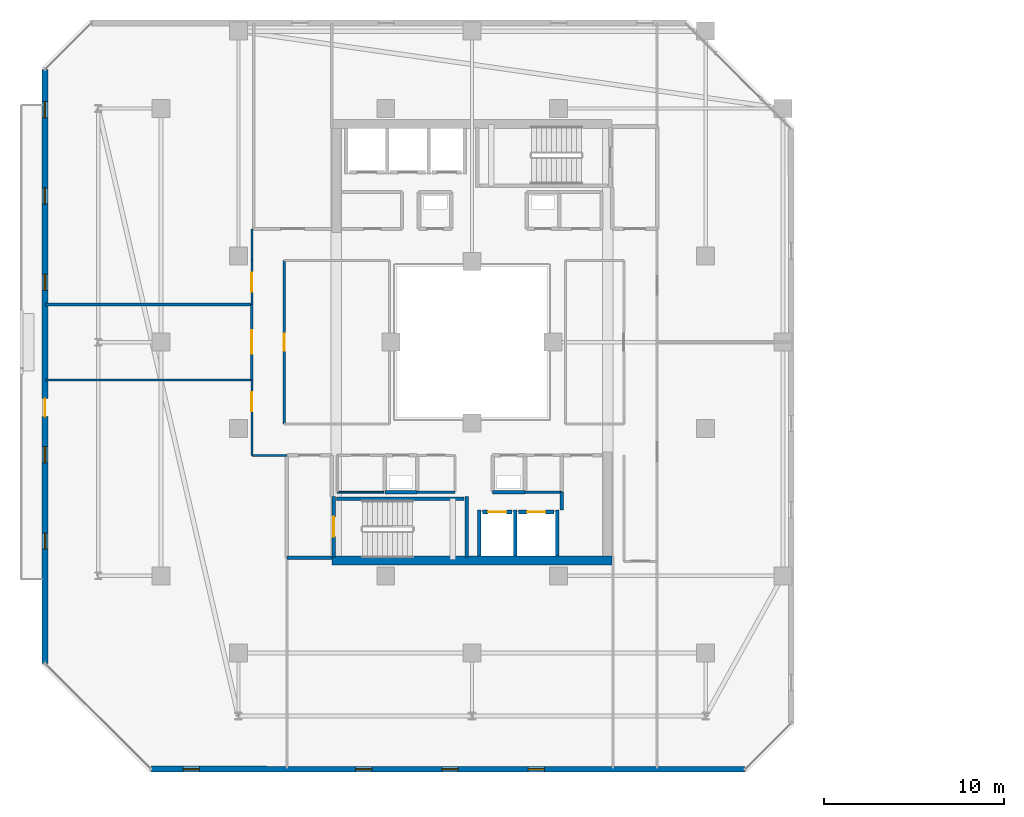
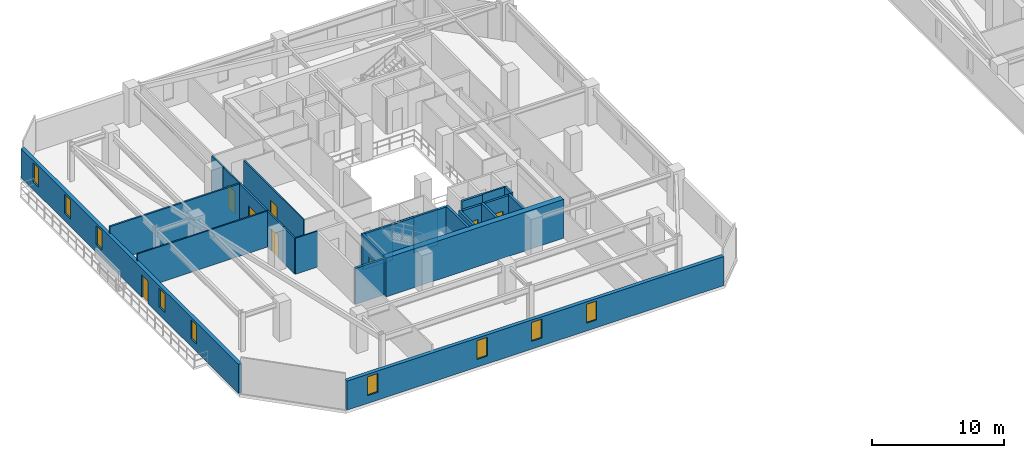
# One storey, part 18 of 31: 27 walls, 9 windows, 8 doors, 17 openings.
"""IFC4 building model written with IfcOpenShell, lengths in metres."""

from ifc_helpers import new_model, si_unit, direction, frame, frame_2d, origin, place, context, subcontext, project, spatial, rectangle, extrude, material, layer, layer_set, type_object, element, fill, save


model = new_model("IFC4")

# Units and contexts
model_context = context("Model", 3, precision=1e-05, world=origin(), true_north=direction((0.0, 1.0)))
body_context = subcontext(model_context, "Body", "Model", "MODEL_VIEW")
ifc_project = project(units=[si_unit("LENGTHUNIT", "METRE"), si_unit("AREAUNIT", "SQUARE_METRE"), si_unit("VOLUMEUNIT", "CUBIC_METRE"), si_unit("PLANEANGLEUNIT", "RADIAN"), si_unit("MASSUNIT", "GRAM", prefix="KILO")], contexts=[model_context])

# Site, building, storey
site_placement = place(None, origin())
site = spatial("IfcSite", under=ifc_project, at=site_placement, CompositionType="ELEMENT")
building_placement = place(site_placement, origin())
building = spatial("IfcBuilding", under=site, at=building_placement, Name="Thornwick Lancets Civic Towers", CompositionType="ELEMENT")
storey_placement = place(building_placement, frame((0.0, 0.0, 233.10009765625)))
storey = spatial("IfcBuildingStorey", under=building, at=storey_placement, Name="L62", CompositionType="ELEMENT", Elevation=233.10009765625)

# Wall, opening, door
ifc_material_1 = material(Name="Concrete blockwork C40/50", Category="masonry")
ifc_layer_1 = layer(ifc_material_1, 0.199951171875, Name="Concrete blockwork C40/50")
ifc_layer_set_1 = layer_set([ifc_layer_1], Name="Concrete blockwork C40/50")
wall_type_1 = type_object("IfcWallType", Name="WALL_COMP_200", PredefinedType="STANDARD", material=ifc_layer_set_1)
wall_1_placement = place(storey_placement, frame((26.080078125, 17.550048828125, 0.0), z_axis=(0.0, 0.0, 1.0), x_axis=(1.0, 0.0, 0.0)))
wall_1 = element("IfcWall", 1, at=wall_1_placement, inside=storey, type_object=wall_type_1, Name="L62 Hoistway Front Wall FL-A1", PredefinedType="STANDARD", context=body_context, shape_type="SweptSolid", body=[
    extrude(rectangle(XDim=1.639892578125, YDim=0.199951171875, at=frame_2d((0.81982421875, 0.0))), origin(), (0.0, 0.0, 1.0), 3.33984375),
])
opening_1_placement = place(wall_1_placement, frame((0.31005859375, 0.0, 0.0)))
opening_1 = element("IfcOpeningElement", 2, at=opening_1_placement, cuts=wall_1, Name="Opening LD-FL-A1", PredefinedType="OPENING", context=body_context, shape_type="SweptSolid", body=[
    extrude(rectangle(XDim=1.02001953125, YDim=2.06005859375, at=frame_2d((0.510009765625, 1.030029296875))), frame((0.0, 0.10986328125, 0.0), z_axis=(0.0, -1.0, 0.0), x_axis=(1.0, 0.0, 0.0)), (0.0, 0.0, 1.0), 0.219970703125),
])
ifc_material_2 = material(Name="Brushed bronze stainless steel", Category="steel")
door_type_1 = type_object("IfcDoorType", Name="DOOR_LIFT_SLIDE", OperationType="SLIDING_TO_LEFT", PredefinedType="DOOR", material=ifc_material_2)
door_1_placement = place(opening_1_placement, origin())
door_1 = element("IfcDoor", 3, at=door_1_placement, inside=storey, type_object=door_type_1, Name="L62 Sliding Lift Landing Door LD-FL-A1", OperationType="SLIDING_TO_LEFT", OverallHeight=2.06005859375, OverallWidth=1.02001953125, PredefinedType="DOOR", context=body_context, shape_type="SweptSolid", body=[
    extrude(rectangle(XDim=1.02001953125, YDim=2.06005859375, at=frame_2d((0.510009765625, 1.030029296875))), frame((0.0, 0.02490234375, 0.0), z_axis=(0.0, -1.0, 0.0), x_axis=(1.0, 0.0, 0.0)), (0.0, 0.0, 1.0), 0.050048828125),
])
fill(opening_1, door_1)

wall_2_placement = place(storey_placement, frame((28.080078125, 17.550048828125, 0.0), z_axis=(0.0, 0.0, 1.0), x_axis=(1.0, 0.0, 0.0)))
wall_2 = element("IfcWall", 4, at=wall_2_placement, inside=storey, type_object=wall_type_1, Name="L62 Hoistway Front Wall PL-AH1", PredefinedType="STANDARD", context=body_context, shape_type="SweptSolid", body=[
    extrude(rectangle(XDim=1.989990234375, YDim=0.199951171875, at=frame_2d((0.9951171875, 0.0))), origin(), (0.0, 0.0, 1.0), 3.33984375),
])
opening_2_placement = place(wall_2_placement, frame((0.485107421875, 0.0, 0.0)))
opening_2 = element("IfcOpeningElement", 5, at=opening_2_placement, cuts=wall_2, Name="Opening LD-PL-AH1", PredefinedType="OPENING", context=body_context, shape_type="SweptSolid", body=[
    extrude(rectangle(XDim=1.02001953125, YDim=2.06005859375, at=frame_2d((0.510009765625, 1.030029296875))), frame((0.0, 0.10986328125, 0.0), z_axis=(0.0, -1.0, 0.0), x_axis=(1.0, 0.0, 0.0)), (0.0, 0.0, 1.0), 0.219970703125),
])
door_2_placement = place(opening_2_placement, origin())
door_2 = element("IfcDoor", 6, at=door_2_placement, inside=storey, type_object=door_type_1, Name="L62 Sliding Lift Landing Door LD-PL-AH1", OperationType="SLIDING_TO_LEFT", OverallHeight=2.06005859375, OverallWidth=1.02001953125, PredefinedType="DOOR", context=body_context, shape_type="SweptSolid", body=[
    extrude(rectangle(XDim=1.02001953125, YDim=2.06005859375, at=frame_2d((0.510009765625, 1.030029296875))), frame((0.0, 0.02490234375, 0.0), z_axis=(0.0, -1.0, 0.0), x_axis=(1.0, 0.0, 0.0)), (0.0, 0.0, 1.0), 0.050048828125),
])
fill(opening_2, door_2)

# Walls
for number, where, z_axis, x_axis, name in (
    (7, (27.89990234375, 15.112060546875, 0.0), (0.0, 0.0, 1.0), (0.0, 1.0, 0.0), "L62 Hoistway Shaft Wall FL-A1 E"),
    (8, (25.89990234375, 15.112060546875, 0.0), (0.0, 0.0, 1.0), (0.0, 1.0, 0.0), "L62 Hoistway Shaft Wall FL-A1 W"),
    (9, (30.25, 15.112060546875, 0.0), (0.0, 0.0, 1.0), (0.0, 1.0, 0.0), "L62 Hoistway Shaft Wall PL-AH1 E"),
):
    element("IfcWall", number, at=place(storey_placement, frame(where, z_axis=z_axis, x_axis=x_axis)), inside=storey, type_object=wall_type_1, Name=name, PredefinedType="STANDARD", context=body_context, shape_type="SweptSolid", body=[
        extrude(rectangle(XDim=2.535888671875, YDim=0.199951171875, at=frame_2d((1.26806640625, 0.0))), origin(), (0.0, 0.0, 1.0), 3.33984375),
    ])
wall_3_placement = place(storey_placement, frame((15.199951171875, 15.0, 0.0), z_axis=(0.0, 0.0, 1.0), x_axis=(1.0, 0.0, 0.0)))
element("IfcWall", 10, at=wall_3_placement, inside=storey, type_object=wall_type_1, Name="L62 Partition L62-A-FFLOB1 E1", PredefinedType="STANDARD", context=body_context, shape_type="SweptSolid", body=[
    extrude(rectangle(XDim=2.5, YDim=0.199951171875, at=frame_2d((1.25, 0.0))), origin(), (0.0, 0.0, 1.0), 3.33984375),
])
for number, where, z_axis, x_axis, name in (
    (11, (26.64990234375, 18.64990234375, 0.0), (0.0, 0.0, 1.0), (1.0, 0.0, 0.0), "L62 Partition L62-A-DUCT1 E1"),
    (12, (20.64990234375, 18.64990234375, 0.0), (0.0, 0.0, 1.0), (1.0, 0.0, 0.0), "L62 Partition L62-A-RISER1 E1"),
):
    element("IfcWall", number, at=place(storey_placement, frame(where, z_axis=z_axis, x_axis=x_axis)), inside=storey, type_object=wall_type_1, Name=name, PredefinedType="STANDARD", context=body_context, shape_type="SweptSolid", body=[
        extrude(rectangle(XDim=1.800048828125, YDim=0.199951171875, at=frame_2d((0.89990234375, 0.0))), origin(), (0.0, 0.0, 1.0), 3.33984375),
    ])
wall_4_placement = place(storey_placement, frame((30.5, 17.64794921875, 0.0), z_axis=(0.0, 0.0, 1.0), x_axis=(0.0, 1.0, 0.0)))
element("IfcWall", 13, at=wall_4_placement, inside=storey, type_object=wall_type_1, Name="L62 Partition L62-A-STR2 E3", PredefinedType="STANDARD", context=body_context, shape_type="SweptSolid", body=[
    extrude(rectangle(XDim=1.001953125, YDim=0.199951171875, at=frame_2d((0.5009765625, 0.0))), origin(), (0.0, 0.0, 1.0), 3.33984375),
])
ifc_material_3 = material(Name="Concrete C50/60", Category="concrete")
ifc_layer_2 = layer(ifc_material_3, 0.5, Name="Concrete C50/60")
ifc_layer_set_2 = layer_set([ifc_layer_2], Name="Concrete C50/60")
wall_type_2 = type_object("IfcWallType", Name="WALL_CORE_500", PredefinedType="SHEAR", material=ifc_layer_set_2)
wall_5_placement = place(storey_placement, frame((17.699951171875, 14.85009765625, 0.0), z_axis=(0.0, 0.0, 1.0), x_axis=(1.0, 0.0, 0.0)))
element("IfcWall", 14, at=wall_5_placement, inside=storey, type_object=wall_type_2, Name="L62 Split Core A1 Shear Wall S", PredefinedType="SHEAR", context=body_context, shape_type="SweptSolid", body=[
    extrude(rectangle(XDim=15.60009765625, YDim=0.5, at=frame_2d((7.800048828125, 0.0))), origin(), (0.0, 0.0, 1.0), 3.599853515625),
])

# Wall, openings, windows
ifc_material_4 = material(Name="Insulated buff terracotta rainscreen on concrete C40/50", Category="masonry")
ifc_layer_3 = layer(ifc_material_4, 0.320068359375, Name="Insulated buff terracotta rainscreen on concrete C40/50")
ifc_layer_set_3 = layer_set([ifc_layer_3], Name="Insulated buff terracotta rainscreen on concrete C40/50")
wall_type_3 = type_object("IfcWallType", Name="WALL_EXT_TERRA_320", PredefinedType="STANDARD", material=ifc_layer_set_3)
wall_6_placement = place(storey_placement, frame((7.627685546875, 3.246337890625, 0.0), z_axis=(0.0, 0.0, 1.0), x_axis=(0.999999944762, -0.000332378036, 0.0)))
wall_6 = element("IfcWall", 15, at=wall_6_placement, inside=storey, type_object=wall_type_3, Name="L62 Tower A Terracotta Facade Wall E0", PredefinedType="STANDARD", context=body_context, shape_type="SweptSolid", body=[
    extrude(rectangle(XDim=33.0537109375, YDim=0.320068359375, at=frame_2d((16.52685546875, 0.0))), origin(), (0.0, 0.0, 1.0), 2.699951171875),
])
opening_3_placement = place(wall_6_placement, frame((1.800048828125, 0.0, 0.719970703125)))
opening_3 = element("IfcOpeningElement", 16, at=opening_3_placement, cuts=wall_6, Name="Opening WL-01", PredefinedType="OPENING", context=body_context, shape_type="SweptSolid", body=[
    extrude(rectangle(XDim=0.89990234375, YDim=1.75, at=frame_2d((0.449951171875, 0.875))), frame((0.0, 0.169921875, 0.0), z_axis=(0.0, -1.0, 0.0), x_axis=(1.0, 0.0, 0.0)), (0.0, 0.0, 1.0), 0.340087890625),
])
opening_4_placement = place(wall_6_placement, frame((11.39990234375, 0.0, 0.719970703125)))
opening_4 = element("IfcOpeningElement", 17, at=opening_4_placement, cuts=wall_6, Name="Opening WL-01", PredefinedType="OPENING", context=body_context, shape_type="SweptSolid", body=[
    extrude(rectangle(XDim=0.89990234375, YDim=1.75, at=frame_2d((0.449951171875, 0.875))), frame((0.0, 0.169921875, 0.0), z_axis=(0.0, -1.0, 0.0), x_axis=(1.0, 0.0, 0.0)), (0.0, 0.0, 1.0), 0.340087890625),
])
opening_5_placement = place(wall_6_placement, frame((16.199951171875, 0.0, 0.719970703125)))
opening_5 = element("IfcOpeningElement", 18, at=opening_5_placement, cuts=wall_6, Name="Opening WL-01", PredefinedType="OPENING", context=body_context, shape_type="SweptSolid", body=[
    extrude(rectangle(XDim=0.89990234375, YDim=1.75, at=frame_2d((0.449951171875, 0.875))), frame((0.0, 0.169921875, 0.0), z_axis=(0.0, -1.0, 0.0), x_axis=(1.0, 0.0, 0.0)), (0.0, 0.0, 1.0), 0.340087890625),
])
opening_6_placement = place(wall_6_placement, frame((21.0, 0.0, 0.719970703125)))
opening_6 = element("IfcOpeningElement", 19, at=opening_6_placement, cuts=wall_6, Name="Opening WL-01", PredefinedType="OPENING", context=body_context, shape_type="SweptSolid", body=[
    extrude(rectangle(XDim=0.89990234375, YDim=1.75, at=frame_2d((0.449951171875, 0.875))), frame((0.0, 0.169921875, 0.0), z_axis=(0.0, -1.0, 0.0), x_axis=(1.0, 0.0, 0.0)), (0.0, 0.0, 1.0), 0.340087890625),
])
ifc_material_5 = material(Name="Clear low-e double glazing in bronze frame", Category="glass")
window_type = type_object("IfcWindowType", Name="WIN_LANCET_900", PartitioningType="SINGLE_PANEL", PredefinedType="WINDOW", material=ifc_material_5)
window_1_placement = place(opening_3_placement, origin())
window_1 = element("IfcWindow", 20, at=window_1_placement, inside=storey, type_object=window_type, Name="L62 Tower A Staggered Lancet Window E0-1", OverallHeight=1.75, OverallWidth=0.89990234375, PartitioningType="SINGLE_PANEL", PredefinedType="WINDOW", context=body_context, shape_type="SweptSolid", body=[
    extrude(rectangle(XDim=0.89990234375, YDim=1.75, at=frame_2d((0.449951171875, 0.875))), frame((0.0, 0.030029296875, 0.0), z_axis=(0.0, -1.0, 0.0), x_axis=(1.0, 0.0, 0.0)), (0.0, 0.0, 1.0), 0.06005859375),
])
fill(opening_3, window_1)
window_2_placement = place(opening_4_placement, origin())
window_2 = element("IfcWindow", 21, at=window_2_placement, inside=storey, type_object=window_type, Name="L62 Tower A Staggered Lancet Window E0-2", OverallHeight=1.75, OverallWidth=0.89990234375, PartitioningType="SINGLE_PANEL", PredefinedType="WINDOW", context=body_context, shape_type="SweptSolid", body=[
    extrude(rectangle(XDim=0.89990234375, YDim=1.75, at=frame_2d((0.449951171875, 0.875))), frame((0.0, 0.030029296875, 0.0), z_axis=(0.0, -1.0, 0.0), x_axis=(1.0, 0.0, 0.0)), (0.0, 0.0, 1.0), 0.06005859375),
])
fill(opening_4, window_2)
window_3_placement = place(opening_5_placement, origin())
window_3 = element("IfcWindow", 22, at=window_3_placement, inside=storey, type_object=window_type, Name="L62 Tower A Staggered Lancet Window E0-3", OverallHeight=1.75, OverallWidth=0.89990234375, PartitioningType="SINGLE_PANEL", PredefinedType="WINDOW", context=body_context, shape_type="SweptSolid", body=[
    extrude(rectangle(XDim=0.89990234375, YDim=1.75, at=frame_2d((0.449951171875, 0.875))), frame((0.0, 0.030029296875, 0.0), z_axis=(0.0, -1.0, 0.0), x_axis=(1.0, 0.0, 0.0)), (0.0, 0.0, 1.0), 0.06005859375),
])
fill(opening_5, window_3)
window_4_placement = place(opening_6_placement, origin())
window_4 = element("IfcWindow", 23, at=window_4_placement, inside=storey, type_object=window_type, Name="L62 Tower A Staggered Lancet Window E0-4", OverallHeight=1.75, OverallWidth=0.89990234375, PartitioningType="SINGLE_PANEL", PredefinedType="WINDOW", context=body_context, shape_type="SweptSolid", body=[
    extrude(rectangle(XDim=0.89990234375, YDim=1.75, at=frame_2d((0.449951171875, 0.875))), frame((0.0, 0.030029296875, 0.0), z_axis=(0.0, -1.0, 0.0), x_axis=(1.0, 0.0, 0.0)), (0.0, 0.0, 1.0), 0.06005859375),
])
fill(opening_6, window_4)

# Wall, openings, door, windows
wall_7_placement = place(storey_placement, frame((1.7353515625, 42.181396484375, 0.0), z_axis=(0.0, 0.0, 1.0), x_axis=(0.000332378036, -0.999999944762, 0.0)))
wall_7 = element("IfcWall", 24, at=wall_7_placement, inside=storey, type_object=wall_type_3, Name="L62 Tower A Terracotta Facade Wall E6", PredefinedType="STANDARD", context=body_context, shape_type="SweptSolid", body=[
    extrude(rectangle(XDim=33.0537109375, YDim=0.320068359375, at=frame_2d((16.52685546875, 0.0))), origin(), (0.0, 0.0, 1.0), 2.699951171875),
])
opening_7_placement = place(wall_7_placement, frame((18.326904296875, 0.0, 0.0)))
opening_7 = element("IfcOpeningElement", 25, at=opening_7_placement, cuts=wall_7, Name="Opening D-BL-L62-AW", PredefinedType="OPENING", context=body_context, shape_type="SweptSolid", body=[
    extrude(rectangle(XDim=1.0, YDim=2.080078125, at=frame_2d((0.5, 1.0400390625))), frame((0.0, 0.169921875, 0.0), z_axis=(0.0, -1.0, 0.0), x_axis=(1.0, 0.0, 0.0)), (0.0, 0.0, 1.0), 0.340087890625),
])
opening_8_placement = place(wall_7_placement, frame((1.800048828125, 0.0, 0.719970703125)))
opening_8 = element("IfcOpeningElement", 26, at=opening_8_placement, cuts=wall_7, Name="Opening WL-01", PredefinedType="OPENING", context=body_context, shape_type="SweptSolid", body=[
    extrude(rectangle(XDim=0.89990234375, YDim=1.75, at=frame_2d((0.449951171875, 0.875))), frame((0.0, 0.169921875, 0.0), z_axis=(0.0, -1.0, 0.0), x_axis=(1.0, 0.0, 0.0)), (0.0, 0.0, 1.0), 0.340087890625),
])
opening_9_placement = place(wall_7_placement, frame((6.60009765625, 0.0, 0.719970703125)))
opening_9 = element("IfcOpeningElement", 27, at=opening_9_placement, cuts=wall_7, Name="Opening WL-01", PredefinedType="OPENING", context=body_context, shape_type="SweptSolid", body=[
    extrude(rectangle(XDim=0.89990234375, YDim=1.75, at=frame_2d((0.449951171875, 0.875))), frame((0.0, 0.169921875, 0.0), z_axis=(0.0, -1.0, 0.0), x_axis=(1.0, 0.0, 0.0)), (0.0, 0.0, 1.0), 0.340087890625),
])
opening_10_placement = place(wall_7_placement, frame((11.39990234375, 0.0, 0.719970703125)))
opening_10 = element("IfcOpeningElement", 28, at=opening_10_placement, cuts=wall_7, Name="Opening WL-01", PredefinedType="OPENING", context=body_context, shape_type="SweptSolid", body=[
    extrude(rectangle(XDim=0.89990234375, YDim=1.75, at=frame_2d((0.449951171875, 0.875))), frame((0.0, 0.169921875, 0.0), z_axis=(0.0, -1.0, 0.0), x_axis=(1.0, 0.0, 0.0)), (0.0, 0.0, 1.0), 0.340087890625),
])
opening_11_placement = place(wall_7_placement, frame((21.0, 0.0, 0.719970703125)))
opening_11 = element("IfcOpeningElement", 29, at=opening_11_placement, cuts=wall_7, Name="Opening WL-01", PredefinedType="OPENING", context=body_context, shape_type="SweptSolid", body=[
    extrude(rectangle(XDim=0.89990234375, YDim=1.75, at=frame_2d((0.449951171875, 0.875))), frame((0.0, 0.169921875, 0.0), z_axis=(0.0, -1.0, 0.0), x_axis=(1.0, 0.0, 0.0)), (0.0, 0.0, 1.0), 0.340087890625),
])
opening_12_placement = place(wall_7_placement, frame((25.800048828125, 0.0, 0.719970703125)))
opening_12 = element("IfcOpeningElement", 30, at=opening_12_placement, cuts=wall_7, Name="Opening WL-01", PredefinedType="OPENING", context=body_context, shape_type="SweptSolid", body=[
    extrude(rectangle(XDim=0.89990234375, YDim=1.75, at=frame_2d((0.449951171875, 0.875))), frame((0.0, 0.169921875, 0.0), z_axis=(0.0, -1.0, 0.0), x_axis=(1.0, 0.0, 0.0)), (0.0, 0.0, 1.0), 0.340087890625),
])
ifc_material_6 = material(Name="Thermally broken glazed loggia doorset")
door_type_2 = type_object("IfcDoorType", Name="DOOR_BALC_1000", OperationType="NOTDEFINED", PredefinedType="DOOR", material=ifc_material_6)
door_3_placement = place(opening_7_placement, origin())
door_3 = element("IfcDoor", 31, at=door_3_placement, inside=storey, type_object=door_type_2, Name="L62 Tower A Loggia Balcony Door W", OperationType="SINGLE_SWING_LEFT", OverallHeight=2.080078125, OverallWidth=1.0, PredefinedType="DOOR", context=body_context, shape_type="SweptSolid", body=[
    extrude(rectangle(XDim=1.0, YDim=2.080078125, at=frame_2d((0.5, 1.0400390625))), frame((0.0, 0.02490234375, 0.0), z_axis=(0.0, -1.0, 0.0), x_axis=(1.0, 0.0, 0.0)), (0.0, 0.0, 1.0), 0.050048828125),
])
fill(opening_7, door_3)
window_5_placement = place(opening_8_placement, origin())
window_5 = element("IfcWindow", 32, at=window_5_placement, inside=storey, type_object=window_type, Name="L62 Tower A Staggered Lancet Window E6-1", OverallHeight=1.75, OverallWidth=0.89990234375, PartitioningType="SINGLE_PANEL", PredefinedType="WINDOW", context=body_context, shape_type="SweptSolid", body=[
    extrude(rectangle(XDim=0.89990234375, YDim=1.75, at=frame_2d((0.449951171875, 0.875))), frame((0.0, 0.030029296875, 0.0), z_axis=(0.0, -1.0, 0.0), x_axis=(1.0, 0.0, 0.0)), (0.0, 0.0, 1.0), 0.06005859375),
])
fill(opening_8, window_5)
window_6_placement = place(opening_9_placement, origin())
window_6 = element("IfcWindow", 33, at=window_6_placement, inside=storey, type_object=window_type, Name="L62 Tower A Staggered Lancet Window E6-2", OverallHeight=1.75, OverallWidth=0.89990234375, PartitioningType="SINGLE_PANEL", PredefinedType="WINDOW", context=body_context, shape_type="SweptSolid", body=[
    extrude(rectangle(XDim=0.89990234375, YDim=1.75, at=frame_2d((0.449951171875, 0.875))), frame((0.0, 0.030029296875, 0.0), z_axis=(0.0, -1.0, 0.0), x_axis=(1.0, 0.0, 0.0)), (0.0, 0.0, 1.0), 0.06005859375),
])
fill(opening_9, window_6)
window_7_placement = place(opening_10_placement, origin())
window_7 = element("IfcWindow", 34, at=window_7_placement, inside=storey, type_object=window_type, Name="L62 Tower A Staggered Lancet Window E6-3", OverallHeight=1.75, OverallWidth=0.89990234375, PartitioningType="SINGLE_PANEL", PredefinedType="WINDOW", context=body_context, shape_type="SweptSolid", body=[
    extrude(rectangle(XDim=0.89990234375, YDim=1.75, at=frame_2d((0.449951171875, 0.875))), frame((0.0, 0.030029296875, 0.0), z_axis=(0.0, -1.0, 0.0), x_axis=(1.0, 0.0, 0.0)), (0.0, 0.0, 1.0), 0.06005859375),
])
fill(opening_10, window_7)
window_8_placement = place(opening_11_placement, origin())
window_8 = element("IfcWindow", 35, at=window_8_placement, inside=storey, type_object=window_type, Name="L62 Tower A Staggered Lancet Window E6-4", OverallHeight=1.75, OverallWidth=0.89990234375, PartitioningType="SINGLE_PANEL", PredefinedType="WINDOW", context=body_context, shape_type="SweptSolid", body=[
    extrude(rectangle(XDim=0.89990234375, YDim=1.75, at=frame_2d((0.449951171875, 0.875))), frame((0.0, 0.030029296875, 0.0), z_axis=(0.0, -1.0, 0.0), x_axis=(1.0, 0.0, 0.0)), (0.0, 0.0, 1.0), 0.06005859375),
])
fill(opening_11, window_8)
window_9_placement = place(opening_12_placement, origin())
window_9 = element("IfcWindow", 36, at=window_9_placement, inside=storey, type_object=window_type, Name="L62 Tower A Staggered Lancet Window E6-5", OverallHeight=1.75, OverallWidth=0.89990234375, PartitioningType="SINGLE_PANEL", PredefinedType="WINDOW", context=body_context, shape_type="SweptSolid", body=[
    extrude(rectangle(XDim=0.89990234375, YDim=1.75, at=frame_2d((0.449951171875, 0.875))), frame((0.0, 0.030029296875, 0.0), z_axis=(0.0, -1.0, 0.0), x_axis=(1.0, 0.0, 0.0)), (0.0, 0.0, 1.0), 0.06005859375),
])
fill(opening_12, window_9)

# Walls
ifc_material_7 = material(Name="Lightweight cellular office partition")
ifc_layer_4 = layer(ifc_material_7, 0.10009765625, Name="Lightweight cellular office partition")
ifc_layer_set_4 = layer_set([ifc_layer_4], Name="Lightweight cellular office partition")
wall_type_4 = type_object("IfcWallType", Name="WALL_PART_100", PredefinedType="PARTITIONING", material=ifc_layer_set_4)
wall_8_placement = place(storey_placement, frame((18.0, 18.64990234375, 0.0), z_axis=(0.0, 0.0, 1.0), x_axis=(1.0, 0.0, 0.0)))
element("IfcWall", 37, at=wall_8_placement, inside=storey, type_object=wall_type_4, Name="L62 Partition L62-A-CLN E1", PredefinedType="PARTITIONING", context=body_context, shape_type="SweptSolid", body=[
    extrude(rectangle(XDim=2.60009765625, YDim=0.10009765625, at=frame_2d((1.300048828125, 0.0))), origin(), (0.0, 0.0, 1.0), 3.33984375),
])
ifc_material_8 = material(Name="Acoustic gypsum board partition")
ifc_layer_5 = layer(ifc_material_8, 0.1201171875, Name="Acoustic gypsum board partition")
ifc_layer_set_5 = layer_set([ifc_layer_5], Name="Acoustic gypsum board partition")
wall_type_5 = type_object("IfcWallType", Name="WALL_PART_120", PredefinedType="PARTITIONING", material=ifc_layer_set_5)
wall_9_placement = place(storey_placement, frame((24.550048828125, 18.64990234375, 0.0), z_axis=(0.0, 0.0, 1.0), x_axis=(-1.0, 0.0, 0.0)))
element("IfcWall", 38, at=wall_9_placement, inside=storey, type_object=wall_type_5, Name="L62 Partition L62-A-ITR E2", PredefinedType="PARTITIONING", context=body_context, shape_type="SweptSolid", body=[
    extrude(rectangle(XDim=2.10009765625, YDim=0.1201171875, at=frame_2d((1.050048828125, 0.0))), origin(), (0.0, 0.0, 1.0), 3.33984375),
])
wall_10_placement = place(storey_placement, frame((13.25, 22.449951171875, 0.0), z_axis=(0.0, 0.0, 1.0), x_axis=(0.0, -1.0, 0.0)))
element("IfcWall", 39, at=wall_10_placement, inside=storey, type_object=wall_type_5, Name="L62 Partition L62-A-W1 E1", PredefinedType="PARTITIONING", context=body_context, shape_type="SweptSolid", body=[
    extrude(rectangle(XDim=1.75, YDim=0.1201171875, at=frame_2d((0.875, 0.0))), origin(), (0.0, 0.0, 1.0), 3.33984375),
])
wall_11_placement = place(storey_placement, frame((13.25, 20.699951171875, 0.0), z_axis=(0.0, 0.0, 1.0), x_axis=(1.0, 0.0, 0.0)))
element("IfcWall", 40, at=wall_11_placement, inside=storey, type_object=wall_type_5, Name="L62 Partition L62-A-W1 E2", PredefinedType="PARTITIONING", context=body_context, shape_type="SweptSolid", body=[
    extrude(rectangle(XDim=1.949951171875, YDim=0.1201171875, at=frame_2d((0.97509765625, 0.0))), origin(), (0.0, 0.0, 1.0), 3.33984375),
])
wall_12_placement = place(storey_placement, frame((1.780029296875, 24.89990234375, 0.0), z_axis=(0.0, 0.0, 1.0), x_axis=(1.0, 0.0, 0.0)))
element("IfcWall", 41, at=wall_12_placement, inside=storey, type_object=wall_type_5, Name="L62 Partition L62-A-W1 E8", PredefinedType="PARTITIONING", context=body_context, shape_type="SweptSolid", body=[
    extrude(rectangle(XDim=11.469970703125, YDim=0.1201171875, at=frame_2d((5.73486328125, 0.0))), origin(), (0.0, 0.0, 1.0), 3.33984375),
])

# Wall, opening, door
wall_13_placement = place(storey_placement, frame((13.25, 24.89990234375, 0.0), z_axis=(0.0, 0.0, 1.0), x_axis=(0.0, -1.0, 0.0)))
wall_13 = element("IfcWall", 42, at=wall_13_placement, inside=storey, type_object=wall_type_5, Name="L62 Partition L62-A-W1 E9", PredefinedType="PARTITIONING", context=body_context, shape_type="SweptSolid", body=[
    extrude(rectangle(XDim=2.449951171875, YDim=0.1201171875, at=frame_2d((1.22509765625, 0.0))), origin(), (0.0, 0.0, 1.0), 3.33984375),
])
opening_13_placement = place(wall_13_placement, frame((0.699951171875, 0.0, 0.0)))
opening_13 = element("IfcOpeningElement", 43, at=opening_13_placement, cuts=wall_13, Name="Opening D-L62-2807", PredefinedType="OPENING", context=body_context, shape_type="SweptSolid", body=[
    extrude(rectangle(XDim=1.050048828125, YDim=2.10009765625, at=frame_2d((0.52490234375, 1.050048828125))), frame((0.0, 0.070068359375, 0.0), z_axis=(0.0, -1.0, 0.0), x_axis=(1.0, 0.0, 0.0)), (0.0, 0.0, 1.0), 0.14013671875),
])
ifc_material_9 = material(Name="Glazed European oak executive doorset")
door_type_3 = type_object("IfcDoorType", Name="DOOR_OFFICE_1050", OperationType="NOTDEFINED", PredefinedType="DOOR", material=ifc_material_9)
door_4_placement = place(opening_13_placement, origin())
door_4 = element("IfcDoor", 44, at=door_4_placement, inside=storey, type_object=door_type_3, Name="L62 Tower A Ministry Directorate Office W1 Door", OperationType="SINGLE_SWING_RIGHT", OverallHeight=2.10009765625, OverallWidth=1.050048828125, PredefinedType="DOOR", context=body_context, shape_type="SweptSolid", body=[
    extrude(rectangle(XDim=1.050048828125, YDim=2.10009765625, at=frame_2d((0.52490234375, 1.050048828125))), frame((0.0, 0.02490234375, 0.0), z_axis=(0.0, -1.0, 0.0), x_axis=(1.0, 0.0, 0.0)), (0.0, 0.0, 1.0), 0.050048828125),
])
fill(opening_13, door_4)

# Wall
wall_14_placement = place(storey_placement, frame((13.25, 33.300048828125, 0.0), z_axis=(0.0, 0.0, 1.0), x_axis=(0.0, -1.0, 0.0)))
element("IfcWall", 45, at=wall_14_placement, inside=storey, type_object=wall_type_5, Name="L62 Partition L62-A-W2B E5", PredefinedType="PARTITIONING", context=body_context, shape_type="SweptSolid", body=[
    extrude(rectangle(XDim=1.75, YDim=0.1201171875, at=frame_2d((0.875, 0.0))), origin(), (0.0, 0.0, 1.0), 3.33984375),
])

# Wall, opening, door
wall_15_placement = place(storey_placement, frame((13.25, 31.550048828125, 0.0), z_axis=(0.0, 0.0, 1.0), x_axis=(0.0, -1.0, 0.0)))
wall_15 = element("IfcWall", 46, at=wall_15_placement, inside=storey, type_object=wall_type_5, Name="L62 Partition L62-A-W2B E6", PredefinedType="PARTITIONING", context=body_context, shape_type="SweptSolid", body=[
    extrude(rectangle(XDim=2.449951171875, YDim=0.1201171875, at=frame_2d((1.22509765625, 0.0))), origin(), (0.0, 0.0, 1.0), 3.33984375),
])
opening_14_placement = place(wall_15_placement, frame((0.699951171875, 0.0, 0.0)))
opening_14 = element("IfcOpeningElement", 47, at=opening_14_placement, cuts=wall_15, Name="Opening D-L62-2809", PredefinedType="OPENING", context=body_context, shape_type="SweptSolid", body=[
    extrude(rectangle(XDim=1.050048828125, YDim=2.10009765625, at=frame_2d((0.52490234375, 1.050048828125))), frame((0.0, 0.070068359375, 0.0), z_axis=(0.0, -1.0, 0.0), x_axis=(1.0, 0.0, 0.0)), (0.0, 0.0, 1.0), 0.14013671875),
])
door_5_placement = place(opening_14_placement, origin())
door_5 = element("IfcDoor", 48, at=door_5_placement, inside=storey, type_object=door_type_3, Name="L62 Tower A Parliamentary Casework Suite W2B Door", OperationType="SINGLE_SWING_RIGHT", OverallHeight=2.10009765625, OverallWidth=1.050048828125, PredefinedType="DOOR", context=body_context, shape_type="SweptSolid", body=[
    extrude(rectangle(XDim=1.050048828125, YDim=2.10009765625, at=frame_2d((0.52490234375, 1.050048828125))), frame((0.0, 0.02490234375, 0.0), z_axis=(0.0, -1.0, 0.0), x_axis=(1.0, 0.0, 0.0)), (0.0, 0.0, 1.0), 0.050048828125),
])
fill(opening_14, door_5)

wall_16_placement = place(storey_placement, frame((15.050048828125, 22.449951171875, 0.0), z_axis=(0.0, 0.0, 1.0), x_axis=(0.0, 1.0, 0.0)))
wall_16 = element("IfcWall", 49, at=wall_16_placement, inside=storey, type_object=wall_type_5, Name="L62 Partition L62-A-W3 E1", PredefinedType="PARTITIONING", context=body_context, shape_type="SweptSolid", body=[
    extrude(rectangle(XDim=9.10009765625, YDim=0.1201171875, at=frame_2d((4.550048828125, 0.0))), origin(), (0.0, 0.0, 1.0), 3.33984375),
])
opening_15_placement = place(wall_16_placement, frame((4.074951171875, 0.0, 0.0)))
opening_15 = element("IfcOpeningElement", 50, at=opening_15_placement, cuts=wall_16, Name="Opening D-L62-2810", PredefinedType="OPENING", context=body_context, shape_type="SweptSolid", body=[
    extrude(rectangle(XDim=0.949951171875, YDim=2.10009765625, at=frame_2d((0.47509765625, 1.050048828125))), frame((0.0, 0.070068359375, 0.0), z_axis=(0.0, -1.0, 0.0), x_axis=(1.0, 0.0, 0.0)), (0.0, 0.0, 1.0), 0.14013671875),
])
ifc_material_10 = material(Name="European oak acoustic doorset")
door_type_4 = type_object("IfcDoorType", Name="DOOR_OFFICE_950", OperationType="NOTDEFINED", PredefinedType="DOOR", material=ifc_material_10)
door_6_placement = place(opening_15_placement, origin())
door_6 = element("IfcDoor", 51, at=door_6_placement, inside=storey, type_object=door_type_4, Name="L62 Tower A West Atrium Gallery Suite Door", OperationType="SINGLE_SWING_LEFT", OverallHeight=2.10009765625, OverallWidth=0.949951171875, PredefinedType="DOOR", context=body_context, shape_type="SweptSolid", body=[
    extrude(rectangle(XDim=0.949951171875, YDim=2.10009765625, at=frame_2d((0.47509765625, 1.050048828125))), frame((0.0, 0.02490234375, 0.0), z_axis=(0.0, -1.0, 0.0), x_axis=(1.0, 0.0, 0.0)), (0.0, 0.0, 1.0), 0.050048828125),
])
fill(opening_15, door_6)

# Walls
ifc_material_11 = material(Name="Twin-stud acoustic gypsum board")
ifc_layer_6 = layer(ifc_material_11, 0.14990234375, Name="Twin-stud acoustic gypsum board")
ifc_layer_set_6 = layer_set([ifc_layer_6], Name="Twin-stud acoustic gypsum board")
wall_type_6 = type_object("IfcWallType", Name="WALL_PART_150", PredefinedType="PARTITIONING", material=ifc_layer_set_6)
wall_17_placement = place(storey_placement, frame((30.5, 18.64990234375, 0.0), z_axis=(0.0, 0.0, 1.0), x_axis=(-1.0, 0.0, 0.0)))
element("IfcWall", 52, at=wall_17_placement, inside=storey, type_object=wall_type_6, Name="L62 Partition L62-A-AWC E2", PredefinedType="PARTITIONING", context=body_context, shape_type="SweptSolid", body=[
    extrude(rectangle(XDim=2.050048828125, YDim=0.14990234375, at=frame_2d((1.02490234375, 0.0))), origin(), (0.0, 0.0, 1.0), 3.33984375),
])
wall_18_placement = place(storey_placement, frame((1.780029296875, 29.10009765625, 0.0), z_axis=(0.0, 0.0, 1.0), x_axis=(1.0, 0.0, 0.0)))
element("IfcWall", 53, at=wall_18_placement, inside=storey, type_object=wall_type_6, Name="L62 Partition L62-A-W2 E3", PredefinedType="PARTITIONING", context=body_context, shape_type="SweptSolid", body=[
    extrude(rectangle(XDim=11.469970703125, YDim=0.14990234375, at=frame_2d((5.73486328125, 0.0))), origin(), (0.0, 0.0, 1.0), 3.33984375),
])

# Wall, opening, door
wall_19_placement = place(storey_placement, frame((13.25, 29.10009765625, 0.0), z_axis=(0.0, 0.0, 1.0), x_axis=(0.0, -1.0, 0.0)))
wall_19 = element("IfcWall", 54, at=wall_19_placement, inside=storey, type_object=wall_type_6, Name="L62 Partition L62-A-W2 E4", PredefinedType="PARTITIONING", context=body_context, shape_type="SweptSolid", body=[
    extrude(rectangle(XDim=4.2001953125, YDim=0.14990234375, at=frame_2d((2.10009765625, 0.0))), origin(), (0.0, 0.0, 1.0), 3.33984375),
])
opening_16_placement = place(wall_19_placement, frame((1.449951171875, 0.0, 0.0)))
opening_16 = element("IfcOpeningElement", 55, at=opening_16_placement, cuts=wall_19, Name="Opening D-L62-2808", PredefinedType="OPENING", context=body_context, shape_type="SweptSolid", body=[
    extrude(rectangle(XDim=1.300048828125, YDim=2.1201171875, at=frame_2d((0.64990234375, 1.06005859375))), frame((0.0, 0.0849609375, 0.0), z_axis=(0.0, -1.0, 0.0), x_axis=(1.0, 0.0, 0.0)), (0.0, 0.0, 1.0), 0.169921875),
])
ifc_material_12 = material(Name="Acoustic oak leaf-and-a-half doorset")
door_type_5 = type_object("IfcDoorType", Name="DOOR_MEET_1300", OperationType="DOUBLE_DOOR_SINGLE_SWING", PredefinedType="DOOR", material=ifc_material_12)
door_7_placement = place(opening_16_placement, origin())
door_7 = element("IfcDoor", 56, at=door_7_placement, inside=storey, type_object=door_type_5, Name="L62 Tower A Policy Briefing Room W2 Door", OperationType="DOUBLE_DOOR_SINGLE_SWING", OverallHeight=2.1201171875, OverallWidth=1.300048828125, PredefinedType="DOOR", context=body_context, shape_type="SweptSolid", body=[
    extrude(rectangle(XDim=1.300048828125, YDim=2.1201171875, at=frame_2d((0.64990234375, 1.06005859375))), frame((0.0, 0.02490234375, 0.0), z_axis=(0.0, -1.0, 0.0), x_axis=(1.0, 0.0, 0.0)), (0.0, 0.0, 1.0), 0.050048828125),
])
fill(opening_16, door_7)

ifc_material_13 = material(Name="Concrete C40/50", Category="concrete")
ifc_layer_7 = layer(ifc_material_13, 0.199951171875, Name="Concrete C40/50")
ifc_layer_set_7 = layer_set([ifc_layer_7], Name="Concrete C40/50")
wall_type_7 = type_object("IfcWallType", Name="WALL_SHAFT_200", PredefinedType="SHEAR", material=ifc_layer_set_7)
wall_20_placement = place(storey_placement, frame((17.800048828125, 15.050048828125, 0.0), z_axis=(0.0, 0.0, 1.0), x_axis=(0.0, 1.0, 0.0)))
wall_20 = element("IfcWall", 57, at=wall_20_placement, inside=storey, type_object=wall_type_7, Name="L62 ST-A1 Fire Stair Core Wall NEAR", PredefinedType="SHEAR", context=body_context, shape_type="SweptSolid", body=[
    extrude(rectangle(XDim=3.349853515625, YDim=0.199951171875, at=frame_2d((1.6748046875, 0.0))), origin(), (0.0, 0.0, 1.0), 3.599853515625),
])
opening_17_placement = place(wall_20_placement, frame((1.125, 0.0, 0.0)))
opening_17 = element("IfcOpeningElement", 58, at=opening_17_placement, cuts=wall_20, Name="Opening D-ST-A1-L62", PredefinedType="OPENING", context=body_context, shape_type="SweptSolid", body=[
    extrude(rectangle(XDim=1.10009765625, YDim=2.10009765625, at=frame_2d((0.550048828125, 1.050048828125))), frame((0.0, 0.10986328125, 0.0), z_axis=(0.0, -1.0, 0.0), x_axis=(1.0, 0.0, 0.0)), (0.0, 0.0, 1.0), 0.219970703125),
])
ifc_material_14 = material(Name="Fire-resisting steel and hardwood", Category="steel")
door_type_6 = type_object("IfcDoorType", Name="DOOR_STAIR_FD60", OperationType="NOTDEFINED", PredefinedType="DOOR", material=ifc_material_14)
door_8_placement = place(opening_17_placement, origin())
door_8 = element("IfcDoor", 59, at=door_8_placement, inside=storey, type_object=door_type_6, Name="L62 ST-A1 Exit Stair Door", OperationType="SINGLE_SWING_RIGHT", OverallHeight=2.10009765625, OverallWidth=1.10009765625, PredefinedType="DOOR", context=body_context, shape_type="SweptSolid", body=[
    extrude(rectangle(XDim=1.10009765625, YDim=2.10009765625, at=frame_2d((0.550048828125, 1.050048828125))), frame((0.0, 0.02490234375, 0.0), z_axis=(0.0, -1.0, 0.0), x_axis=(1.0, 0.0, 0.0)), (0.0, 0.0, 1.0), 0.050048828125),
])
fill(opening_17, door_8)

# Walls
wall_21_placement = place(storey_placement, frame((25.199951171875, 18.39990234375, 0.0), z_axis=(0.0, 0.0, 1.0), x_axis=(0.0, -1.0, 0.0)))
element("IfcWall", 60, at=wall_21_placement, inside=storey, type_object=wall_type_7, Name="L62 ST-A1 Fire Stair Core Wall FAR", PredefinedType="SHEAR", context=body_context, shape_type="SweptSolid", body=[
    extrude(rectangle(XDim=3.349853515625, YDim=0.199951171875, at=frame_2d((1.6748046875, 0.0))), origin(), (0.0, 0.0, 1.0), 3.599853515625),
])
wall_22_placement = place(storey_placement, frame((25.050048828125, 18.297119140625, 0.0), z_axis=(0.0, 0.0, 1.0), x_axis=(-1.0, 0.0, 0.0)))
element("IfcWall", 61, at=wall_22_placement, inside=storey, type_object=wall_type_7, Name="L62 ST-A1 Fire Stair Core Wall RIGHT", PredefinedType="SHEAR", context=body_context, shape_type="SweptSolid", body=[
    extrude(rectangle(XDim=7.10009765625, YDim=0.199951171875, at=frame_2d((3.550048828125, 0.0))), origin(), (0.0, 0.0, 1.0), 3.599853515625),
])

save(model, "model.ifc")
